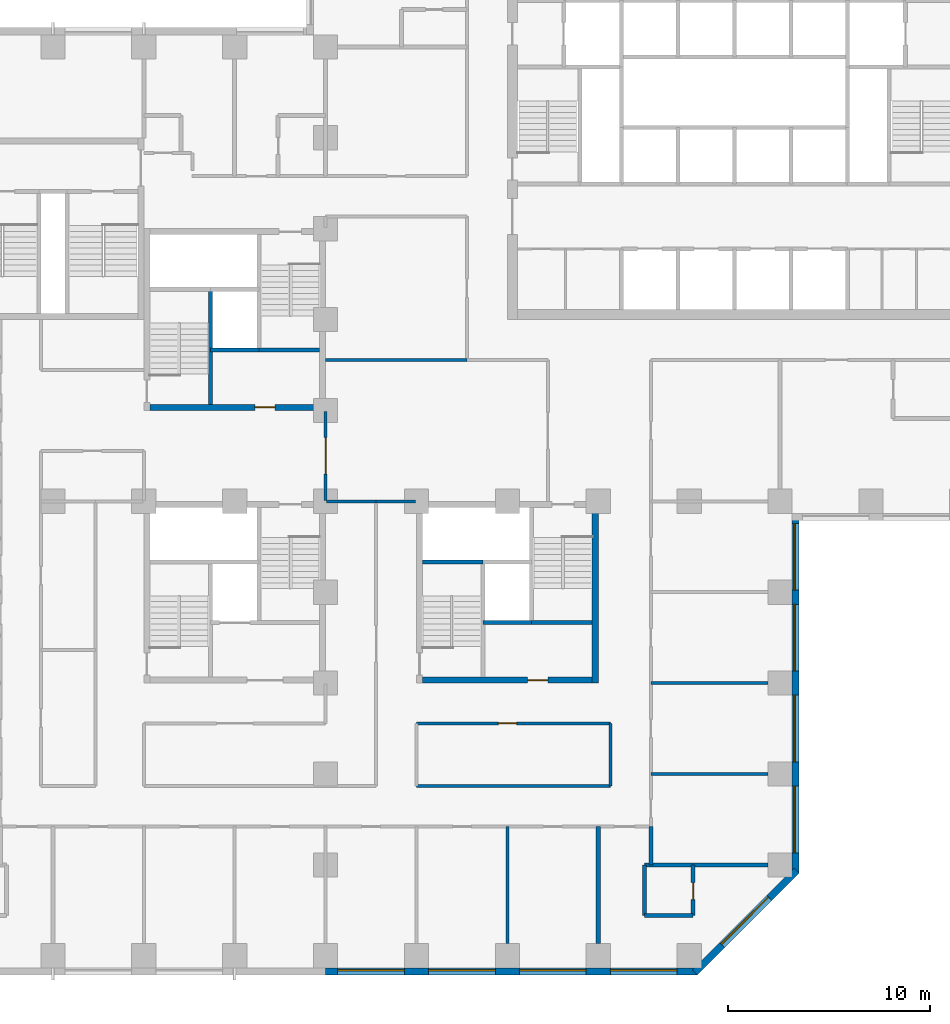
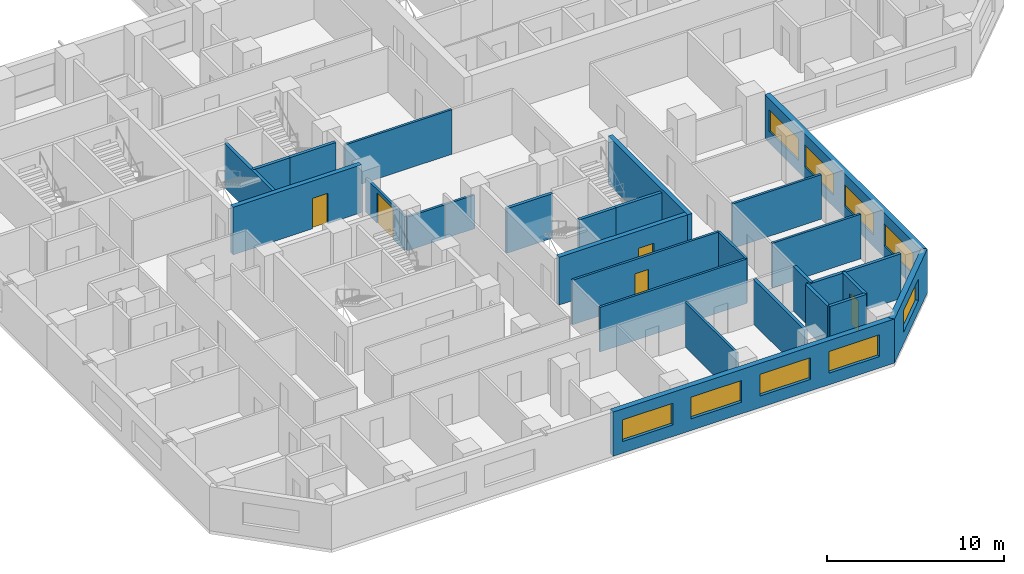
# One storey, part 4 of 13: 28 walls, 9 windows, 5 doors, 14 openings.
"""IFC4 building model written with IfcOpenShell, lengths in metres."""

from ifc_helpers import new_model, si_unit, direction, frame, frame_2d, origin, place, context, subcontext, project, spatial, rectangle, extrude, material, layer, layer_set, constituent, constituent_set, type_object, element, fill, save


model = new_model("IFC4")

# Units and contexts
model_context = context("Model", 3, precision=1e-05, world=origin(), true_north=direction((0.0, 1.0)))
body_context = subcontext(model_context, "Body", "Model", "MODEL_VIEW")
ifc_project = project(units=[si_unit("LENGTHUNIT", "METRE"), si_unit("AREAUNIT", "SQUARE_METRE"), si_unit("VOLUMEUNIT", "CUBIC_METRE"), si_unit("PLANEANGLEUNIT", "RADIAN"), si_unit("MASSUNIT", "GRAM", prefix="KILO")], contexts=[model_context])

# Site, building, storey
site_placement = place(None, origin())
site = spatial("IfcSite", under=ifc_project, at=site_placement, CompositionType="ELEMENT")
building_placement = place(site_placement, origin())
building = spatial("IfcBuilding", under=site, at=building_placement, Name="Quoin Convention Tower", CompositionType="ELEMENT")
storey_placement = place(building_placement, frame((0.0, 0.0, 23.10009765625)))
storey = spatial("IfcBuildingStorey", under=building, at=storey_placement, Name="L04", CompositionType="ELEMENT", Elevation=23.10009765625)

# Wall, openings, windows
ifc_material_1 = material(Name="Brick masonry", Category="masonry")
ifc_layer_1 = layer(ifc_material_1, 0.35009765625)
ifc_layer_set_1 = layer_set([ifc_layer_1], Name="Brick masonry")
wall_type_1 = type_object("IfcWallType", Name="Brick facade wall", PredefinedType="STANDARD", material=ifc_layer_set_1)
wall_1_placement = place(storey_placement, frame((36.0, 17.22509765625, 0.0), z_axis=(0.0, 0.0, 1.0), x_axis=(1.0, 0.0, 0.0)))
wall_1 = element("IfcWall", 1, at=wall_1_placement, inside=storey, type_object=wall_type_1, Name="fw-L04-36000_18000", PredefinedType="STANDARD", context=body_context, shape_type="SweptSolid", body=[
    extrude(rectangle(XDim=18.3935546875, YDim=0.35009765625, at=frame_2d((9.19677734375, 0.0))), origin(), (0.0, 0.0, 1.0), 3.054931640625),
])
opening_1_placement = place(wall_1_placement, frame((0.60009765625, 0.0, 0.800048828125)))
opening_1 = element("IfcOpeningElement", 2, at=opening_1_placement, cuts=wall_1, Name="Opening W-01", PredefinedType="OPENING", context=body_context, shape_type="SweptSolid", body=[
    extrude(rectangle(XDim=3.300048828125, YDim=1.5, at=frame_2d((1.64990234375, 0.75))), frame((0.0, 0.18505859375, 0.0), z_axis=(0.0, -1.0, 0.0), x_axis=(1.0, 0.0, 0.0)), (0.0, 0.0, 1.0), 0.3701171875),
])
opening_2_placement = place(wall_1_placement, frame((5.10009765625, 0.0, 0.800048828125)))
opening_2 = element("IfcOpeningElement", 3, at=opening_2_placement, cuts=wall_1, Name="Opening W-01", PredefinedType="OPENING", context=body_context, shape_type="SweptSolid", body=[
    extrude(rectangle(XDim=3.300048828125, YDim=1.5, at=frame_2d((1.64990234375, 0.75))), frame((0.0, 0.18505859375, 0.0), z_axis=(0.0, -1.0, 0.0), x_axis=(1.0, 0.0, 0.0)), (0.0, 0.0, 1.0), 0.3701171875),
])
opening_3_placement = place(wall_1_placement, frame((9.60009765625, 0.0, 0.800048828125)))
opening_3 = element("IfcOpeningElement", 4, at=opening_3_placement, cuts=wall_1, Name="Opening W-01", PredefinedType="OPENING", context=body_context, shape_type="SweptSolid", body=[
    extrude(rectangle(XDim=3.300048828125, YDim=1.5, at=frame_2d((1.64990234375, 0.75))), frame((0.0, 0.18505859375, 0.0), z_axis=(0.0, -1.0, 0.0), x_axis=(1.0, 0.0, 0.0)), (0.0, 0.0, 1.0), 0.3701171875),
])
opening_4_placement = place(wall_1_placement, frame((14.10009765625, 0.0, 0.800048828125)))
opening_4 = element("IfcOpeningElement", 5, at=opening_4_placement, cuts=wall_1, Name="Opening W-01", PredefinedType="OPENING", context=body_context, shape_type="SweptSolid", body=[
    extrude(rectangle(XDim=3.300048828125, YDim=1.5, at=frame_2d((1.64990234375, 0.75))), frame((0.0, 0.18505859375, 0.0), z_axis=(0.0, -1.0, 0.0), x_axis=(1.0, 0.0, 0.0)), (0.0, 0.0, 1.0), 0.3701171875),
])
ifc_material_2 = material(Name="Aluminium", Category="aluminium")
ifc_constituent_1 = constituent(ifc_material_2, Name="Frame")
ifc_material_3 = material(Name="Insulated glass", Category="glass")
ifc_constituent_2 = constituent(ifc_material_3, Name="Glazing")
ifc_constituent_set = constituent_set(constituents=[ifc_constituent_1, ifc_constituent_2], Name="Aluminium")
window_type = type_object("IfcWindowType", Name="Hotel strip window", PartitioningType="DOUBLE_PANEL_VERTICAL", PredefinedType="WINDOW", material=ifc_constituent_set)
window_1_placement = place(opening_1_placement, origin())
window_1 = element("IfcWindow", 6, at=window_1_placement, inside=storey, type_object=window_type, Name="win-L04-38250_17225", OverallHeight=1.5, OverallWidth=3.300048828125, PartitioningType="SINGLE_PANEL", PredefinedType="WINDOW", context=body_context, shape_type="SweptSolid", body=[
    extrude(rectangle(XDim=3.300048828125, YDim=1.5, at=frame_2d((1.64990234375, 0.75))), frame((0.0, 0.0849609375, 0.0), z_axis=(0.0, -1.0, 0.0), x_axis=(1.0, 0.0, 0.0)), (0.0, 0.0, 1.0), 0.06005859375),
])
fill(opening_1, window_1)
window_2_placement = place(opening_2_placement, origin())
window_2 = element("IfcWindow", 7, at=window_2_placement, inside=storey, type_object=window_type, Name="win-L04-42750_17225", OverallHeight=1.5, OverallWidth=3.300048828125, PartitioningType="SINGLE_PANEL", PredefinedType="WINDOW", context=body_context, shape_type="SweptSolid", body=[
    extrude(rectangle(XDim=3.300048828125, YDim=1.5, at=frame_2d((1.64990234375, 0.75))), frame((0.0, 0.0849609375, 0.0), z_axis=(0.0, -1.0, 0.0), x_axis=(1.0, 0.0, 0.0)), (0.0, 0.0, 1.0), 0.06005859375),
])
fill(opening_2, window_2)
window_3_placement = place(opening_3_placement, origin())
window_3 = element("IfcWindow", 8, at=window_3_placement, inside=storey, type_object=window_type, Name="win-L04-47250_17225", OverallHeight=1.5, OverallWidth=3.300048828125, PartitioningType="SINGLE_PANEL", PredefinedType="WINDOW", context=body_context, shape_type="SweptSolid", body=[
    extrude(rectangle(XDim=3.300048828125, YDim=1.5, at=frame_2d((1.64990234375, 0.75))), frame((0.0, 0.0849609375, 0.0), z_axis=(0.0, -1.0, 0.0), x_axis=(1.0, 0.0, 0.0)), (0.0, 0.0, 1.0), 0.06005859375),
])
fill(opening_3, window_3)
window_4_placement = place(opening_4_placement, origin())
window_4 = element("IfcWindow", 9, at=window_4_placement, inside=storey, type_object=window_type, Name="win-L04-51750_17225", OverallHeight=1.5, OverallWidth=3.300048828125, PartitioningType="SINGLE_PANEL", PredefinedType="WINDOW", context=body_context, shape_type="SweptSolid", body=[
    extrude(rectangle(XDim=3.300048828125, YDim=1.5, at=frame_2d((1.64990234375, 0.75))), frame((0.0, 0.0849609375, 0.0), z_axis=(0.0, -1.0, 0.0), x_axis=(1.0, 0.0, 0.0)), (0.0, 0.0, 1.0), 0.06005859375),
])
fill(opening_4, window_4)

# Wall, opening, window
wall_2_placement = place(storey_placement, frame((54.269775390625, 17.173583984375, 0.0), z_axis=(0.0, 0.0, 1.0), x_axis=(0.707106781187, 0.707106781187, 0.0)))
wall_2 = element("IfcWall", 10, at=wall_2_placement, inside=storey, type_object=wall_type_1, Name="fw-L04-54000_18000", PredefinedType="STANDARD", context=body_context, shape_type="SweptSolid", body=[
    extrude(rectangle(XDim=7.151123046875, YDim=0.35009765625, at=frame_2d((3.57568359375, 0.0))), origin(), (0.0, 0.0, 1.0), 3.054931640625),
])
opening_5_placement = place(wall_2_placement, frame((1.925537109375, 0.0, 0.800048828125)))
opening_5 = element("IfcOpeningElement", 11, at=opening_5_placement, cuts=wall_2, Name="Opening W-01", PredefinedType="OPENING", context=body_context, shape_type="SweptSolid", body=[
    extrude(rectangle(XDim=3.300048828125, YDim=1.5, at=frame_2d((1.64990234375, 0.75))), frame((0.0, 0.18505859375, 0.0), z_axis=(0.0, -1.0, 0.0), x_axis=(1.0, 0.0, 0.0)), (0.0, 0.0, 1.0), 0.3701171875),
])
window_5_placement = place(opening_5_placement, origin())
window_5 = element("IfcWindow", 12, at=window_5_placement, inside=storey, type_object=window_type, Name="win-L04-56798_19702", OverallHeight=1.5, OverallWidth=3.300048828125, PartitioningType="SINGLE_PANEL", PredefinedType="WINDOW", context=body_context, shape_type="SweptSolid", body=[
    extrude(rectangle(XDim=3.300048828125, YDim=1.5, at=frame_2d((1.64990234375, 0.75))), frame((0.0, 0.0849609375, 0.0), z_axis=(0.0, -1.0, 0.0), x_axis=(1.0, 0.0, 0.0)), (0.0, 0.0, 1.0), 0.06005859375),
])
fill(opening_5, window_5)

# Wall, openings, windows
wall_3_placement = place(storey_placement, frame((59.27490234375, 22.1064453125, 0.0), z_axis=(0.0, 0.0, 1.0), x_axis=(0.0, 1.0, 0.0)))
wall_3 = element("IfcWall", 13, at=wall_3_placement, inside=storey, type_object=wall_type_1, Name="fw-L04-58500_22500", PredefinedType="STANDARD", context=body_context, shape_type="SweptSolid", body=[
    extrude(rectangle(XDim=17.79345703125, YDim=0.35009765625, at=frame_2d((8.896728515625, 0.0))), origin(), (0.0, 0.0, 1.0), 3.054931640625),
])
opening_6_placement = place(wall_3_placement, frame((0.993408203125, 0.0, 0.800048828125)))
opening_6 = element("IfcOpeningElement", 14, at=opening_6_placement, cuts=wall_3, Name="Opening W-01", PredefinedType="OPENING", context=body_context, shape_type="SweptSolid", body=[
    extrude(rectangle(XDim=3.300048828125, YDim=1.5, at=frame_2d((1.64990234375, 0.75))), frame((0.0, 0.18505859375, 0.0), z_axis=(0.0, -1.0, 0.0), x_axis=(1.0, 0.0, 0.0)), (0.0, 0.0, 1.0), 0.3701171875),
])
opening_7_placement = place(wall_3_placement, frame((5.493408203125, 0.0, 0.800048828125)))
opening_7 = element("IfcOpeningElement", 15, at=opening_7_placement, cuts=wall_3, Name="Opening W-01", PredefinedType="OPENING", context=body_context, shape_type="SweptSolid", body=[
    extrude(rectangle(XDim=3.300048828125, YDim=1.5, at=frame_2d((1.64990234375, 0.75))), frame((0.0, 0.18505859375, 0.0), z_axis=(0.0, -1.0, 0.0), x_axis=(1.0, 0.0, 0.0)), (0.0, 0.0, 1.0), 0.3701171875),
])
opening_8_placement = place(wall_3_placement, frame((9.993408203125, 0.0, 0.800048828125)))
opening_8 = element("IfcOpeningElement", 16, at=opening_8_placement, cuts=wall_3, Name="Opening W-01", PredefinedType="OPENING", context=body_context, shape_type="SweptSolid", body=[
    extrude(rectangle(XDim=3.300048828125, YDim=1.5, at=frame_2d((1.64990234375, 0.75))), frame((0.0, 0.18505859375, 0.0), z_axis=(0.0, -1.0, 0.0), x_axis=(1.0, 0.0, 0.0)), (0.0, 0.0, 1.0), 0.3701171875),
])
opening_9_placement = place(wall_3_placement, frame((13.993408203125, 0.0, 0.800048828125)))
opening_9 = element("IfcOpeningElement", 17, at=opening_9_placement, cuts=wall_3, Name="Opening W-01", PredefinedType="OPENING", context=body_context, shape_type="SweptSolid", body=[
    extrude(rectangle(XDim=3.300048828125, YDim=1.5, at=frame_2d((1.64990234375, 0.75))), frame((0.0, 0.18505859375, 0.0), z_axis=(0.0, -1.0, 0.0), x_axis=(1.0, 0.0, 0.0)), (0.0, 0.0, 1.0), 0.3701171875),
])
window_6_placement = place(opening_6_placement, origin())
window_6 = element("IfcWindow", 18, at=window_6_placement, inside=storey, type_object=window_type, Name="win-L04-59275_24750", OverallHeight=1.5, OverallWidth=3.300048828125, PartitioningType="SINGLE_PANEL", PredefinedType="WINDOW", context=body_context, shape_type="SweptSolid", body=[
    extrude(rectangle(XDim=3.300048828125, YDim=1.5, at=frame_2d((1.64990234375, 0.75))), frame((0.0, 0.0849609375, 0.0), z_axis=(0.0, -1.0, 0.0), x_axis=(1.0, 0.0, 0.0)), (0.0, 0.0, 1.0), 0.06005859375),
])
fill(opening_6, window_6)
window_7_placement = place(opening_7_placement, origin())
window_7 = element("IfcWindow", 19, at=window_7_placement, inside=storey, type_object=window_type, Name="win-L04-59275_29250", OverallHeight=1.5, OverallWidth=3.300048828125, PartitioningType="SINGLE_PANEL", PredefinedType="WINDOW", context=body_context, shape_type="SweptSolid", body=[
    extrude(rectangle(XDim=3.300048828125, YDim=1.5, at=frame_2d((1.64990234375, 0.75))), frame((0.0, 0.0849609375, 0.0), z_axis=(0.0, -1.0, 0.0), x_axis=(1.0, 0.0, 0.0)), (0.0, 0.0, 1.0), 0.06005859375),
])
fill(opening_7, window_7)
window_8_placement = place(opening_8_placement, origin())
window_8 = element("IfcWindow", 20, at=window_8_placement, inside=storey, type_object=window_type, Name="win-L04-59275_33750", OverallHeight=1.5, OverallWidth=3.300048828125, PartitioningType="SINGLE_PANEL", PredefinedType="WINDOW", context=body_context, shape_type="SweptSolid", body=[
    extrude(rectangle(XDim=3.300048828125, YDim=1.5, at=frame_2d((1.64990234375, 0.75))), frame((0.0, 0.0849609375, 0.0), z_axis=(0.0, -1.0, 0.0), x_axis=(1.0, 0.0, 0.0)), (0.0, 0.0, 1.0), 0.06005859375),
])
fill(opening_8, window_8)
window_9_placement = place(opening_9_placement, origin())
window_9 = element("IfcWindow", 21, at=window_9_placement, inside=storey, type_object=window_type, Name="win-L04-59275_38250", OverallHeight=1.5, OverallWidth=3.300048828125, PartitioningType="SINGLE_PANEL", PredefinedType="WINDOW", context=body_context, shape_type="SweptSolid", body=[
    extrude(rectangle(XDim=3.300048828125, YDim=1.5, at=frame_2d((1.64990234375, 0.75))), frame((0.0, 0.0849609375, 0.0), z_axis=(0.0, -1.0, 0.0), x_axis=(1.0, 0.0, 0.0)), (0.0, 0.0, 1.0), 0.06005859375),
])
fill(opening_9, window_9)

# Walls
ifc_material_4 = material(Name="Concrete C50", Category="concrete")
ifc_layer_2 = layer(ifc_material_4, 0.199951171875)
ifc_layer_set_2 = layer_set([ifc_layer_2], Name="Concrete C50")
wall_type_2 = type_object("IfcWallType", Name="Core shaft wall", PredefinedType="SOLIDWALL", material=ifc_layer_set_2)
wall_4_placement = place(storey_placement, frame((30.300048828125, 48.0, 0.0), z_axis=(0.0, 0.0, 1.0), x_axis=(1.0, 0.0, 0.0)))
element("IfcWall", 22, at=wall_4_placement, inside=storey, type_object=wall_type_2, Name="cr-P2-L04-h3000_3300", PredefinedType="SOLIDWALL", context=body_context, shape_type="SweptSolid", body=[
    extrude(rectangle(XDim=2.39990234375, YDim=0.199951171875, at=frame_2d((1.199951171875, 0.0))), origin(), (0.0, 0.0, 1.0), 3.079833984375),
])
wall_5_placement = place(storey_placement, frame((32.699951171875, 48.0, 0.0), z_axis=(0.0, 0.0, 1.0), x_axis=(1.0, 0.0, 0.0)))
element("IfcWall", 23, at=wall_5_placement, inside=storey, type_object=wall_type_2, Name="cr-P2-L04-h3000_5700", PredefinedType="SOLIDWALL", context=body_context, shape_type="SweptSolid", body=[
    extrude(rectangle(XDim=3.0, YDim=0.199951171875, at=frame_2d((1.5, 0.0))), origin(), (0.0, 0.0, 1.0), 3.079833984375),
])
wall_6_placement = place(storey_placement, frame((30.300048828125, 45.300048828125, 0.0), z_axis=(0.0, 0.0, 1.0), x_axis=(0.0, 1.0, 0.0)))
element("IfcWall", 24, at=wall_6_placement, inside=storey, type_object=wall_type_2, Name="cr-P2-L04-v3300_300", PredefinedType="SOLIDWALL", context=body_context, shape_type="SweptSolid", body=[
    extrude(rectangle(XDim=5.699951171875, YDim=0.199951171875, at=frame_2d((2.85009765625, 0.0))), origin(), (0.0, 0.0, 1.0), 3.079833984375),
])
wall_7_placement = place(storey_placement, frame((43.800048828125, 34.5, 0.0), z_axis=(0.0, 0.0, 1.0), x_axis=(1.0, 0.0, 0.0)))
element("IfcWall", 25, at=wall_7_placement, inside=storey, type_object=wall_type_2, Name="cr-P3-L04-h3000_3300", PredefinedType="SOLIDWALL", context=body_context, shape_type="SweptSolid", body=[
    extrude(rectangle(XDim=2.39990234375, YDim=0.199951171875, at=frame_2d((1.199951171875, 0.0))), origin(), (0.0, 0.0, 1.0), 3.079833984375),
])
for number, where, z_axis, x_axis, name in (
    (26, (46.199951171875, 34.5, 0.0), (0.0, 0.0, 1.0), (1.0, 0.0, 0.0), "cr-P3-L04-h3000_5700"),
    (27, (40.800048828125, 37.5, 0.0), (0.0, 0.0, 1.0), (1.0, 0.0, 0.0), "cr-P3-L04-h6000_300"),
):
    element("IfcWall", number, at=place(storey_placement, frame(where, z_axis=z_axis, x_axis=x_axis)), inside=storey, type_object=wall_type_2, Name=name, PredefinedType="SOLIDWALL", context=body_context, shape_type="SweptSolid", body=[
        extrude(rectangle(XDim=3.0, YDim=0.199951171875, at=frame_2d((1.5, 0.0))), origin(), (0.0, 0.0, 1.0), 3.079833984375),
    ])

# Wall, opening, door
ifc_material_5 = material(Name="Concrete C80", Category="concrete")
ifc_layer_3 = layer(ifc_material_5, 0.300048828125)
ifc_layer_set_3 = layer_set([ifc_layer_3], Name="Concrete C80")
wall_type_3 = type_object("IfcWallType", Name="RC CORE WALL 300 C80", PredefinedType="SHEAR", material=ifc_layer_set_3)
wall_8_placement = place(storey_placement, frame((27.300048828125, 45.14990234375, 0.0), z_axis=(0.0, 0.0, 1.0), x_axis=(1.0, 0.0, 0.0)))
wall_8 = element("IfcWall", 28, at=wall_8_placement, inside=storey, type_object=wall_type_3, Name="cwl-P2-L04-S", PredefinedType="SHEAR", context=body_context, shape_type="SweptSolid", body=[
    extrude(rectangle(XDim=8.39990234375, YDim=0.300048828125, at=frame_2d((4.199951171875, 0.0))), origin(), (0.0, 0.0, 1.0), 3.2998046875),
])
opening_10_placement = place(wall_8_placement, frame((5.199951171875, 0.0, 0.0)))
opening_10 = element("IfcOpeningElement", 29, at=opening_10_placement, cuts=wall_8, Name="Opening DCV2-41", PredefinedType="OPENING", context=body_context, shape_type="SweptSolid", body=[
    extrude(rectangle(XDim=1.0, YDim=2.10009765625, at=frame_2d((0.5, 1.050048828125))), frame((0.0, 0.159912109375, 0.0), z_axis=(0.0, -1.0, 0.0), x_axis=(1.0, 0.0, 0.0)), (0.0, 0.0, 1.0), 0.320068359375),
])
ifc_material_6 = material(Name="Steel door leaf", Category="steel")
door_type_1 = type_object("IfcDoorType", Name="Service door 1000 x 2100", OperationType="SINGLE_SWING_LEFT", PredefinedType="DOOR", material=ifc_material_6)
door_1_placement = place(opening_10_placement, origin())
door_1 = element("IfcDoor", 30, at=door_1_placement, inside=storey, type_object=door_type_1, Name="cd-P2-L04-R2-S", OperationType="SINGLE_SWING_LEFT", OverallHeight=2.10009765625, OverallWidth=1.0, PredefinedType="DOOR", context=body_context, shape_type="SweptSolid", body=[
    extrude(rectangle(XDim=1.0, YDim=2.10009765625, at=frame_2d((0.5, 1.050048828125))), frame((0.0, 0.02490234375, 0.0), z_axis=(0.0, -1.0, 0.0), x_axis=(1.0, 0.0, 0.0)), (0.0, 0.0, 1.0), 0.050048828125),
])
fill(opening_10, door_1)

wall_9_placement = place(storey_placement, frame((40.800048828125, 31.64990234375, 0.0), z_axis=(0.0, 0.0, 1.0), x_axis=(1.0, 0.0, 0.0)))
wall_9 = element("IfcWall", 31, at=wall_9_placement, inside=storey, type_object=wall_type_3, Name="cwl-P3-L04-S", PredefinedType="SHEAR", context=body_context, shape_type="SweptSolid", body=[
    extrude(rectangle(XDim=8.39990234375, YDim=0.300048828125, at=frame_2d((4.199951171875, 0.0))), origin(), (0.0, 0.0, 1.0), 3.2998046875),
])
opening_11_placement = place(wall_9_placement, frame((5.199951171875, 0.0, 0.0)))
opening_11 = element("IfcOpeningElement", 32, at=opening_11_placement, cuts=wall_9, Name="Opening DCV2-42", PredefinedType="OPENING", context=body_context, shape_type="SweptSolid", body=[
    extrude(rectangle(XDim=1.0, YDim=2.10009765625, at=frame_2d((0.5, 1.050048828125))), frame((0.0, 0.159912109375, 0.0), z_axis=(0.0, -1.0, 0.0), x_axis=(1.0, 0.0, 0.0)), (0.0, 0.0, 1.0), 0.320068359375),
])
door_2_placement = place(opening_11_placement, origin())
door_2 = element("IfcDoor", 33, at=door_2_placement, inside=storey, type_object=door_type_1, Name="cd-P3-L04-R2-S", OperationType="SINGLE_SWING_LEFT", OverallHeight=2.10009765625, OverallWidth=1.0, PredefinedType="DOOR", context=body_context, shape_type="SweptSolid", body=[
    extrude(rectangle(XDim=1.0, YDim=2.10009765625, at=frame_2d((0.5, 1.050048828125))), frame((0.0, 0.02490234375, 0.0), z_axis=(0.0, -1.0, 0.0), x_axis=(1.0, 0.0, 0.0)), (0.0, 0.0, 1.0), 0.050048828125),
])
fill(opening_11, door_2)

# Walls
wall_10_placement = place(storey_placement, frame((49.35009765625, 31.5, 0.0), z_axis=(0.0, 0.0, 1.0), x_axis=(0.0, 1.0, 0.0)))
element("IfcWall", 34, at=wall_10_placement, inside=storey, type_object=wall_type_3, Name="cwl-P3-L04-E", PredefinedType="SHEAR", context=body_context, shape_type="SweptSolid", body=[
    extrude(rectangle(XDim=9.0, YDim=0.300048828125, at=frame_2d((4.5, 0.0))), origin(), (0.0, 0.0, 1.0), 3.2998046875),
])
ifc_layer_4 = layer(ifc_material_4, 0.199951171875)
ifc_layer_set_4 = layer_set([ifc_layer_4], Name="Concrete C50")
wall_type_4 = type_object("IfcWallType", Name="RC party wall", PredefinedType="SOLIDWALL", material=ifc_layer_set_4)
wall_11_placement = place(storey_placement, frame((49.5, 18.60009765625, 0.0), z_axis=(0.0, 0.0, 1.0), x_axis=(0.0, 1.0, 0.0)))
element("IfcWall", 35, at=wall_11_placement, inside=storey, type_object=wall_type_4, Name="pw-L04-039", PredefinedType="SOLIDWALL", context=body_context, shape_type="SweptSolid", body=[
    extrude(rectangle(XDim=5.7998046875, YDim=0.199951171875, at=frame_2d((2.89990234375, 0.0))), origin(), (0.0, 0.0, 1.0), 3.079833984375),
])
wall_12_placement = place(storey_placement, frame((51.800048828125, 20.0, 0.0), z_axis=(0.0, 0.0, 1.0), x_axis=(1.0, 0.0, 0.0)))
element("IfcWall", 36, at=wall_12_placement, inside=storey, type_object=wall_type_4, Name="pw-L04-043", PredefinedType="SOLIDWALL", context=body_context, shape_type="SweptSolid", body=[
    extrude(rectangle(XDim=2.39990234375, YDim=0.199951171875, at=frame_2d((1.199951171875, 0.0))), origin(), (0.0, 0.0, 1.0), 3.079833984375),
])
wall_13_placement = place(storey_placement, frame((51.800048828125, 20.0, 0.0), z_axis=(0.0, 0.0, 1.0), x_axis=(0.0, 1.0, 0.0)))
element("IfcWall", 37, at=wall_13_placement, inside=storey, type_object=wall_type_4, Name="pw-L04-044", PredefinedType="SOLIDWALL", context=body_context, shape_type="SweptSolid", body=[
    extrude(rectangle(XDim=2.5, YDim=0.199951171875, at=frame_2d((1.25, 0.0))), origin(), (0.0, 0.0, 1.0), 3.079833984375),
])

# Wall, opening, door
wall_14_placement = place(storey_placement, frame((54.199951171875, 20.0, 0.0), z_axis=(0.0, 0.0, 1.0), x_axis=(0.0, 1.0, 0.0)))
wall_14 = element("IfcWall", 38, at=wall_14_placement, inside=storey, type_object=wall_type_4, Name="pw-L04-045", PredefinedType="SOLIDWALL", context=body_context, shape_type="SweptSolid", body=[
    extrude(rectangle(XDim=2.5, YDim=0.199951171875, at=frame_2d((1.25, 0.0))), origin(), (0.0, 0.0, 1.0), 3.079833984375),
])
opening_12_placement = place(wall_14_placement, frame((0.77490234375, 0.0, 0.0)))
opening_12 = element("IfcOpeningElement", 39, at=opening_12_placement, cuts=wall_14, Name="Opening DHOTEL-M-50", PredefinedType="OPENING", context=body_context, shape_type="SweptSolid", body=[
    extrude(rectangle(XDim=0.85009765625, YDim=2.10009765625, at=frame_2d((0.425048828125, 1.050048828125))), frame((0.0, 0.10986328125, 0.0), z_axis=(0.0, -1.0, 0.0), x_axis=(1.0, 0.0, 0.0)), (0.0, 0.0, 1.0), 0.219970703125),
])
door_type_2 = type_object("IfcDoorType", Name="Bathroom door", OperationType="SINGLE_SWING_LEFT", PredefinedType="DOOR", material=ifc_material_6)
door_3_placement = place(opening_12_placement, frame((0.85009765625, 0.0, 0.0), z_axis=(0.0, 0.0, 1.0), x_axis=(-1.0, 0.0, 0.0)))
door_3 = element("IfcDoor", 40, at=door_3_placement, inside=storey, type_object=door_type_2, Name="dr-L04-064", OperationType="SINGLE_SWING_LEFT", OverallHeight=2.10009765625, OverallWidth=0.85009765625, PredefinedType="DOOR", context=body_context, shape_type="SweptSolid", body=[
    extrude(rectangle(XDim=0.85009765625, YDim=2.10009765625, at=frame_2d((0.425048828125, 1.050048828125))), frame((0.0, 0.02490234375, 0.0), z_axis=(0.0, -1.0, 0.0), x_axis=(1.0, 0.0, 0.0)), (0.0, 0.0, 1.0), 0.050048828125),
])
fill(opening_12, door_3)

# Walls
wall_15_placement = place(storey_placement, frame((51.800048828125, 22.5, 0.0), z_axis=(0.0, 0.0, 1.0), x_axis=(1.0, 0.0, 0.0)))
element("IfcWall", 41, at=wall_15_placement, inside=storey, type_object=wall_type_4, Name="pw-L04-048", PredefinedType="SOLIDWALL", context=body_context, shape_type="SweptSolid", body=[
    extrude(rectangle(XDim=6.099853515625, YDim=0.199951171875, at=frame_2d((3.0498046875, 0.0))), origin(), (0.0, 0.0, 1.0), 3.079833984375),
])
wall_16_placement = place(storey_placement, frame((52.10009765625, 22.5, 0.0), z_axis=(0.0, 0.0, 1.0), x_axis=(0.0, 1.0, 0.0)))
element("IfcWall", 42, at=wall_16_placement, inside=storey, type_object=wall_type_4, Name="pw-L04-049", PredefinedType="SOLIDWALL", context=body_context, shape_type="SweptSolid", body=[
    extrude(rectangle(XDim=1.89990234375, YDim=0.199951171875, at=frame_2d((0.949951171875, 0.0))), origin(), (0.0, 0.0, 1.0), 3.079833984375),
])
ifc_material_7 = material(Name="Plasterboard")
ifc_layer_5 = layer(ifc_material_7, 0.012451171875, Name="Finish")
ifc_material_8 = material(Name="Steel stud framing", Category="steel")
ifc_layer_6 = layer(ifc_material_8, 0.125, Name="Structure")
ifc_layer_7 = layer(ifc_material_7, 0.012451171875, Name="Finish")
ifc_layer_set_5 = layer_set([ifc_layer_5, ifc_layer_6, ifc_layer_7], Name="Steel stud framing")
wall_type_5 = type_object("IfcWallType", Name="corridor partition", PredefinedType="PARTITIONING", material=ifc_layer_set_5)
wall_17_placement = place(storey_placement, frame((40.5, 26.39990234375, 0.0), z_axis=(0.0, 0.0, 1.0), x_axis=(1.0, 0.0, 0.0)))
element("IfcWall", 43, at=wall_17_placement, inside=storey, type_object=wall_type_5, Name="pw-L04-013", PredefinedType="PARTITIONING", context=body_context, shape_type="SweptSolid", body=[
    extrude(rectangle(XDim=9.60009765625, YDim=0.14990234375, at=frame_2d((4.800048828125, 0.0))), origin(), (0.0, 0.0, 1.0), 3.079833984375),
])
wall_18_placement = place(storey_placement, frame((50.10009765625, 26.39990234375, 0.0), z_axis=(0.0, 0.0, 1.0), x_axis=(0.0, 1.0, 0.0)))
element("IfcWall", 44, at=wall_18_placement, inside=storey, type_object=wall_type_5, Name="pw-L04-015", PredefinedType="PARTITIONING", context=body_context, shape_type="SweptSolid", body=[
    extrude(rectangle(XDim=3.10009765625, YDim=0.14990234375, at=frame_2d((1.550048828125, 0.0))), origin(), (0.0, 0.0, 1.0), 3.079833984375),
])

# Wall, opening, door
wall_19_placement = place(storey_placement, frame((40.5, 29.5, 0.0), z_axis=(0.0, 0.0, 1.0), x_axis=(1.0, 0.0, 0.0)))
wall_19 = element("IfcWall", 45, at=wall_19_placement, inside=storey, type_object=wall_type_5, Name="pw-L04-018", PredefinedType="PARTITIONING", context=body_context, shape_type="SweptSolid", body=[
    extrude(rectangle(XDim=9.60009765625, YDim=0.14990234375, at=frame_2d((4.800048828125, 0.0))), origin(), (0.0, 0.0, 1.0), 3.079833984375),
])
opening_13_placement = place(wall_19_placement, frame((4.06005859375, 0.0, 0.0)))
opening_13 = element("IfcOpeningElement", 46, at=opening_13_placement, cuts=wall_19, Name="Opening DHOTEL-M-24", PredefinedType="OPENING", context=body_context, shape_type="SweptSolid", body=[
    extrude(rectangle(XDim=0.89990234375, YDim=2.10009765625, at=frame_2d((0.449951171875, 1.050048828125))), frame((0.0, 0.0849609375, 0.0), z_axis=(0.0, -1.0, 0.0), x_axis=(1.0, 0.0, 0.0)), (0.0, 0.0, 1.0), 0.169921875),
])
door_type_3 = type_object("IfcDoorType", Name="Single room door", OperationType="SINGLE_SWING_RIGHT", PredefinedType="DOOR", material=ifc_material_6)
door_4_placement = place(opening_13_placement, frame((0.89990234375, 0.0, 0.0), z_axis=(0.0, 0.0, 1.0), x_axis=(-1.0, 0.0, 0.0)))
door_4 = element("IfcDoor", 47, at=door_4_placement, inside=storey, type_object=door_type_3, Name="dr-L04-w02", OperationType="SINGLE_SWING_RIGHT", OverallHeight=2.10009765625, OverallWidth=0.89990234375, PredefinedType="DOOR", context=body_context, shape_type="SweptSolid", body=[
    extrude(rectangle(XDim=0.89990234375, YDim=2.10009765625, at=frame_2d((0.449951171875, 1.050048828125))), frame((0.0, 0.02490234375, 0.0), z_axis=(0.0, -1.0, 0.0), x_axis=(1.0, 0.0, 0.0)), (0.0, 0.0, 1.0), 0.050048828125),
])
fill(opening_13, door_4)

# Wall
ifc_layer_8 = layer(ifc_material_7, 0.012451171875, Name="Finish")
ifc_layer_9 = layer(ifc_material_8, 0.125, Name="Structure")
ifc_layer_10 = layer(ifc_material_7, 0.012451171875, Name="Finish")
ifc_layer_set_6 = layer_set([ifc_layer_8, ifc_layer_9, ifc_layer_10], Name="Steel stud framing")
wall_type_6 = type_object("IfcWallType", Name="corridor partition under beam 750", PredefinedType="PARTITIONING", material=ifc_layer_set_6)
wall_20_placement = place(storey_placement, frame((38.5, 40.5, 0.0), z_axis=(0.0, 0.0, 1.0), x_axis=(1.0, 0.0, 0.0)))
element("IfcWall", 48, at=wall_20_placement, inside=storey, type_object=wall_type_6, Name="pw-L04-020", PredefinedType="PARTITIONING", context=body_context, shape_type="SweptSolid", body=[
    extrude(rectangle(XDim=1.949951171875, YDim=0.14990234375, at=frame_2d((0.97509765625, 0.0))), origin(), (0.0, 0.0, 1.0), 2.329833984375),
])

# Wall, opening, door
wall_21_placement = place(storey_placement, frame((36.0, 40.550048828125, 0.0), z_axis=(0.0, 0.0, 1.0), x_axis=(0.0, 1.0, 0.0)))
wall_21 = element("IfcWall", 49, at=wall_21_placement, inside=storey, type_object=wall_type_6, Name="pw-L04-022", PredefinedType="PARTITIONING", context=body_context, shape_type="SweptSolid", body=[
    extrude(rectangle(XDim=4.39990234375, YDim=0.14990234375, at=frame_2d((2.199951171875, 0.0))), origin(), (0.0, 0.0, 1.0), 2.329833984375),
])
opening_14_placement = place(wall_21_placement, frame((1.302001953125, 0.0, 0.0)))
opening_14 = element("IfcOpeningElement", 50, at=opening_14_placement, cuts=wall_21, Name="Opening DHOTEL-M-25", PredefinedType="OPENING", context=body_context, shape_type="SweptSolid", body=[
    extrude(rectangle(XDim=1.800048828125, YDim=2.10009765625, at=frame_2d((0.89990234375, 1.050048828125))), frame((0.0, 0.0849609375, 0.0), z_axis=(0.0, -1.0, 0.0), x_axis=(1.0, 0.0, 0.0)), (0.0, 0.0, 1.0), 0.169921875),
])
door_type_4 = type_object("IfcDoorType", Name="Double meeting room door", OperationType="DOUBLE_DOOR_SINGLE_SWING", PredefinedType="DOOR", material=ifc_material_6)
door_5_placement = place(opening_14_placement, frame((1.800048828125, 0.0, 0.0), z_axis=(0.0, 0.0, 1.0), x_axis=(-1.0, 0.0, 0.0)))
door_5 = element("IfcDoor", 51, at=door_5_placement, inside=storey, type_object=door_type_4, Name="dr-L04-082", OperationType="DOUBLE_DOOR_SINGLE_SWING", OverallHeight=2.10009765625, OverallWidth=1.800048828125, PredefinedType="DOOR", context=body_context, shape_type="SweptSolid", body=[
    extrude(rectangle(XDim=1.800048828125, YDim=2.10009765625, at=frame_2d((0.89990234375, 1.050048828125))), frame((0.0, 0.02490234375, 0.0), z_axis=(0.0, -1.0, 0.0), x_axis=(1.0, 0.0, 0.0)), (0.0, 0.0, 1.0), 0.050048828125),
])
fill(opening_14, door_5)

# Walls
ifc_layer_11 = layer(ifc_material_7, 0.012451171875, Name="Finish")
ifc_layer_12 = layer(ifc_material_8, 0.125, Name="Structure")
ifc_layer_13 = layer(ifc_material_7, 0.012451171875, Name="Finish")
ifc_layer_set_7 = layer_set([ifc_layer_11, ifc_layer_12, ifc_layer_13], Name="Steel stud framing")
wall_type_7 = type_object("IfcWallType", Name="room partition", PredefinedType="PARTITIONING", material=ifc_layer_set_7)
for number, where, z_axis, x_axis, name in (
    (52, (45.0, 18.60009765625, 0.0), (0.0, 0.0, 1.0), (0.0, 1.0, 0.0), "pw-L04-144"),
    (53, (52.10009765625, 27.0, 0.0), (0.0, 0.0, 1.0), (1.0, 0.0, 0.0), "pw-L04-150"),
    (54, (52.10009765625, 31.5, 0.0), (0.0, 0.0, 1.0), (1.0, 0.0, 0.0), "pw-L04-151"),
):
    element("IfcWall", number, at=place(storey_placement, frame(where, z_axis=z_axis, x_axis=x_axis)), inside=storey, type_object=wall_type_7, Name=name, PredefinedType="PARTITIONING", context=body_context, shape_type="SweptSolid", body=[
        extrude(rectangle(XDim=5.7998046875, YDim=0.14990234375, at=frame_2d((2.89990234375, 0.0))), origin(), (0.0, 0.0, 1.0), 3.079833984375),
    ])
wall_22_placement = place(storey_placement, frame((36.0, 47.5, 0.0), z_axis=(0.0, 0.0, 1.0), x_axis=(1.0, 0.0, 0.0)))
element("IfcWall", 55, at=wall_22_placement, inside=storey, type_object=wall_type_7, Name="pw-L04-159", PredefinedType="PARTITIONING", context=body_context, shape_type="SweptSolid", body=[
    extrude(rectangle(XDim=7.0, YDim=0.14990234375, at=frame_2d((3.5, 0.0))), origin(), (0.0, 0.0, 1.0), 3.079833984375),
])
ifc_layer_14 = layer(ifc_material_7, 0.012451171875, Name="Finish")
ifc_layer_15 = layer(ifc_material_8, 0.125, Name="Structure")
ifc_layer_16 = layer(ifc_material_7, 0.012451171875, Name="Finish")
ifc_layer_set_8 = layer_set([ifc_layer_14, ifc_layer_15, ifc_layer_16], Name="Steel stud framing")
wall_type_8 = type_object("IfcWallType", Name="room partition under beam 750", PredefinedType="PARTITIONING", material=ifc_layer_set_8)
wall_23_placement = place(storey_placement, frame((36.050048828125, 40.5, 0.0), z_axis=(0.0, 0.0, 1.0), x_axis=(1.0, 0.0, 0.0)))
element("IfcWall", 56, at=wall_23_placement, inside=storey, type_object=wall_type_8, Name="pw-L04-155", PredefinedType="PARTITIONING", context=body_context, shape_type="SweptSolid", body=[
    extrude(rectangle(XDim=2.449951171875, YDim=0.14990234375, at=frame_2d((1.22509765625, 0.0))), origin(), (0.0, 0.0, 1.0), 2.329833984375),
])

save(model, "model.ifc")
